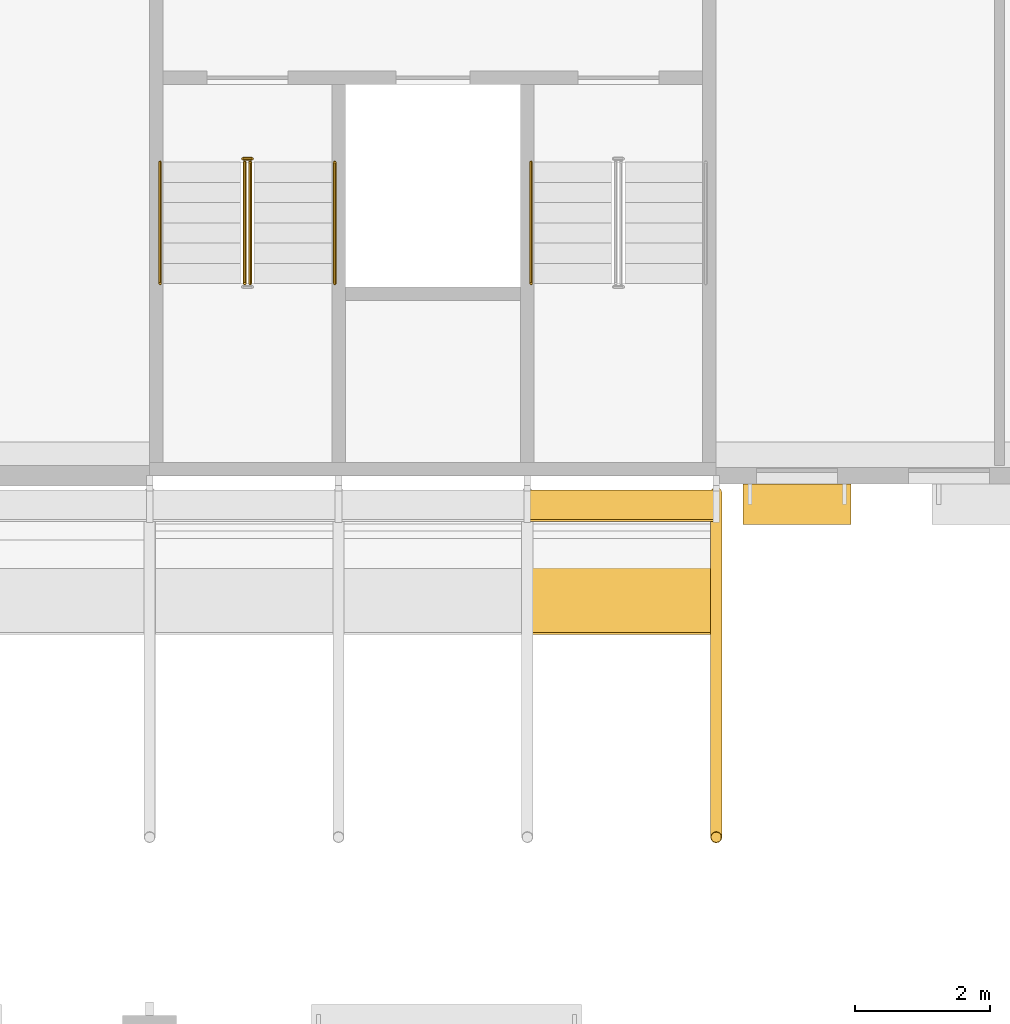
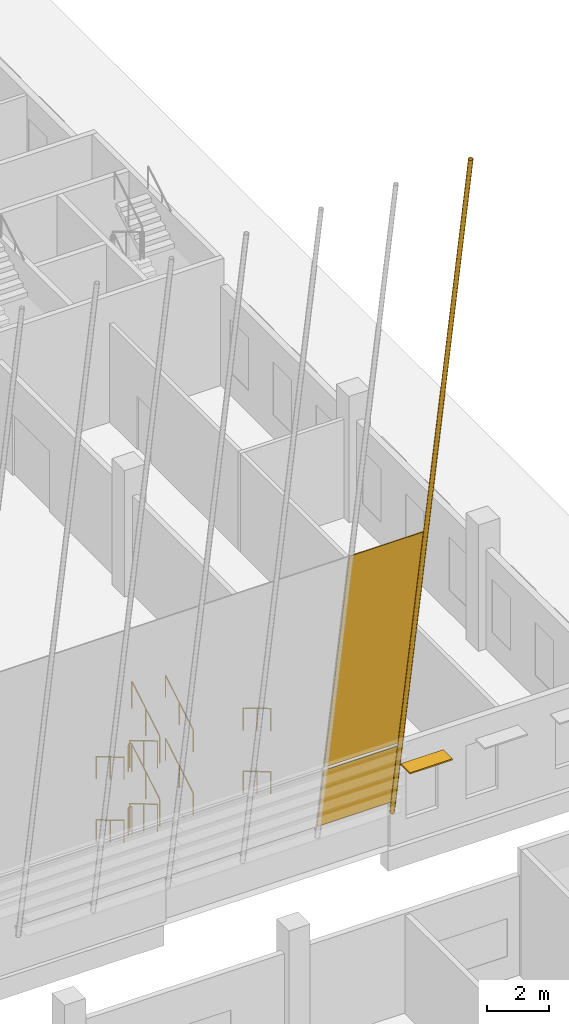
# One storey, part 97 of 101: 12 railings, 2 coverings, 2 shading devices.
"""IFC4 building model written with IfcOpenShell, lengths in metres."""

import ifcopenshell
import ifcopenshell.guid

model = None  # the IFC model being written
_history = None  # IfcOwnerHistory: only IFC2X3 demands one
_inside = {}  # id of a spatial element -> (the spatial element, [elements in it])
_under = {}  # id of a project, library or spatial element -> (it, [spatial elements below it])
_declared = {}  # id of a project -> (the project, [libraries it declares])
_typed = {}  # id of a type object -> (the type object, [elements of that type])
_made_of = {}  # id of a material, layer set ... -> (it, [elements and type objects made of it])


def new_model(schema):
    """Start an empty IFC model of exactly this schema.

    Asked for "IFC4X3", IfcOpenShell would pick the latest addendum, in which some entities
    have other attributes; the version numbers below select the first issue.
    IFC2X3 requires an IfcOwnerHistory on every rooted entity: one is made here for all.
    """
    global model, _history
    if schema == "IFC4X3":
        model = ifcopenshell.file(schema_version=(4, 3, 0, 0))
    else:
        model = ifcopenshell.file(schema=schema)
    _inside.clear()
    _under.clear()
    _declared.clear()
    _typed.clear()
    _made_of.clear()
    _history = None
    if model.schema == "IFC2X3":
        org = make("IfcOrganization", Name="unknown")
        user = make(
            "IfcPersonAndOrganization",
            ThePerson=make("IfcPerson", FamilyName="unknown"),
            TheOrganization=org,
        )
        app = make(
            "IfcApplication",
            ApplicationDeveloper=org,
            Version="unknown",
            ApplicationFullName="unknown",
            ApplicationIdentifier="unknown",
        )
        _history = make(
            "IfcOwnerHistory",
            OwningUser=user,
            OwningApplication=app,
            ChangeAction="ADDED",
            CreationDate=0,
        )
    return model


def make(cls, **values):
    """One entity of the class cls with the attributes given. An attribute that is None is left unset."""
    return model.create_entity(
        cls, **{name: value for name, value in values.items() if value is not None}
    )


def rooted(cls, **values):
    """An entity with a GlobalId (a new one), such as an element, a storey or a relation."""
    return make(cls, GlobalId=ifcopenshell.guid.new(), OwnerHistory=_history, **values)


def si_unit(unit_type, name, prefix=None):
    """IfcSIUnit, for example si_unit("LENGTHUNIT", "METRE", prefix="MILLI")."""
    return make("IfcSIUnit", UnitType=unit_type, Prefix=prefix, Name=name)


def assignment(units):
    """IfcUnitAssignment: the units of a project."""
    return None if units is None else make("IfcUnitAssignment", Units=units)


def point(xyz):
    """IfcCartesianPoint."""
    return None if xyz is None else make("IfcCartesianPoint", Coordinates=xyz)


def direction(xyz):
    """IfcDirection."""
    return None if xyz is None else make("IfcDirection", DirectionRatios=xyz)


def frame(location, z_axis=None, x_axis=None):
    """IfcAxis2Placement3D, a coordinate frame: its origin and axes. An axis left out is left unset."""
    return make(
        "IfcAxis2Placement3D",
        Location=point(location),
        Axis=direction(z_axis),
        RefDirection=direction(x_axis),
    )


def frame_2d(location, x_axis=None):
    """IfcAxis2Placement2D, a coordinate frame in the plane: its origin and x axis."""
    return make(
        "IfcAxis2Placement2D", Location=point(location), RefDirection=direction(x_axis)
    )


def origin():
    """The frame at (0, 0, 0) with its axes left unset."""
    return frame((0.0, 0.0, 0.0))


def origin_2d():
    """The frame at (0, 0) in the plane with its x axis left unset."""
    return frame_2d((0.0, 0.0))


def place(relative_to, where):
    """IfcLocalPlacement: puts the frame where relative to a parent placement (None: the world)."""
    return make(
        "IfcLocalPlacement", PlacementRelTo=relative_to, RelativePlacement=where
    )


def context(
    kind, dimensions, precision=None, world=None, true_north=None, identifier=None
):
    """IfcGeometricRepresentationContext, for example the 3D "Model" context."""
    return make(
        "IfcGeometricRepresentationContext",
        ContextIdentifier=identifier,
        ContextType=kind,
        CoordinateSpaceDimension=dimensions,
        Precision=precision,
        WorldCoordinateSystem=world,
        TrueNorth=true_north,
    )


def subcontext(parent, identifier, kind, view, scale=None):
    """IfcGeometricRepresentationSubContext, for example "Body" below "Model"."""
    return make(
        "IfcGeometricRepresentationSubContext",
        ContextIdentifier=identifier,
        ContextType=kind,
        ParentContext=parent,
        TargetScale=scale,
        TargetView=view,
    )


def project(units=None, contexts=None):
    """IfcProject with its units and contexts."""
    return rooted(
        "IfcProject",
        Name="project",
        RepresentationContexts=contexts,
        UnitsInContext=assignment(units),
    )


def spatial(cls, under=None, at=None, **own):
    """A site, building, storey or space (cls), placed at a placement, below another one or the project."""
    s = rooted(cls, ObjectPlacement=at, **own)
    if under is not None:
        _under.setdefault(under.id(), (under, []))[1].append(s)
    return s


def polyline(points):
    """IfcPolyline through the points."""
    return make("IfcPolyline", Points=[point(p) for p in points])


def profile(cls, at=None, kind="AREA", **sizes):
    """A parametric profile (cls). Its sizes go by their IFC names, for example OverallWidth=200.0."""
    return make(cls, ProfileType=kind, Position=at, **sizes)


def rectangle(**sizes):
    """IfcRectangleProfileDef."""
    return profile("IfcRectangleProfileDef", **sizes)


def circle(**sizes):
    """IfcCircleProfileDef."""
    return profile("IfcCircleProfileDef", **sizes)


def hollow_circle(**sizes):
    """IfcCircleHollowProfileDef."""
    return profile("IfcCircleHollowProfileDef", **sizes)


def outline(outer, holes=None, kind="AREA"):
    """IfcArbitraryClosedProfileDef: a profile drawn as a closed curve; with holes, ...WithVoids."""
    if holes is None:
        return make("IfcArbitraryClosedProfileDef", ProfileType=kind, OuterCurve=outer)
    return make(
        "IfcArbitraryProfileDefWithVoids",
        ProfileType=kind,
        OuterCurve=outer,
        InnerCurves=holes,
    )


def extrude(swept, where, along, depth):
    """IfcExtrudedAreaSolid: the profile swept, set in the frame where, extruded along a direction by depth."""
    return make(
        "IfcExtrudedAreaSolid",
        SweptArea=swept,
        Position=where,
        ExtrudedDirection=direction(along),
        Depth=depth,
    )


def shape(context_of_items, identifier, shape_type, items):
    """IfcShapeRepresentation: the items that make up one representation, for example the "Body"."""
    return make(
        "IfcShapeRepresentation",
        ContextOfItems=context_of_items,
        RepresentationIdentifier=identifier,
        RepresentationType=shape_type,
        Items=items,
    )


def material(Name=None, Category=None):
    """IfcMaterial."""
    return make("IfcMaterial", Name=Name, Category=Category)


def layer(
    of_material, thickness, ventilated=None, Name=None, Category=None, Priority=None
):
    """IfcMaterialLayer: one layer of a wall or slab, of a material (None: an air gap)."""
    return make(
        "IfcMaterialLayer",
        Material=of_material,
        LayerThickness=thickness,
        IsVentilated=ventilated,
        Name=Name,
        Category=Category,
        Priority=Priority,
    )


def layer_set(layers, Name=None):
    """IfcMaterialLayerSet."""
    return make("IfcMaterialLayerSet", MaterialLayers=layers, LayerSetName=Name)


def material_profile(
    of_material, cross_section, Name=None, Category=None, Priority=None
):
    """IfcMaterialProfile: a cross section and its material."""
    return make(
        "IfcMaterialProfile",
        Name=Name,
        Material=of_material,
        Profile=cross_section,
        Priority=Priority,
        Category=Category,
    )


def profile_set(profiles, Name=None, composite=None):
    """IfcMaterialProfileSet."""
    return make(
        "IfcMaterialProfileSet",
        Name=Name,
        MaterialProfiles=profiles,
        CompositeProfile=composite,
    )


def made_of(thing, what):
    """Note that an element or type object is made of a material, layer set ...; save() writes the relation."""
    if what is not None:
        _made_of.setdefault(what.id(), (what, []))[1].append(thing)
    return thing


def type_object(cls, material=None, **own):
    """A type object (cls), such as IfcWallType, which elements share."""
    return made_of(rooted(cls, **own), material)


def element(
    cls,
    number,
    at=None,
    inside=None,
    cuts=None,
    type_object=None,
    material=None,
    context=None,
    identifier="Body",
    shape_type=None,
    held_by="IfcProductDefinitionShape",
    body=None,
    shapes=None,
    **own,
):
    """One element of the class cls, such as IfcWall. Its Tag is "e" and its number.

    at: its placement. inside: the storey or other place that contains it. cuts: it is an
    opening in that element (IfcRelVoidsElement). A single representation is given by context,
    identifier, shape_type and body (its items); several are given by shapes. held_by: the class
    of the entity that holds the representations. save() writes the other relations.
    """
    e = rooted(cls, Tag="e%d" % number, ObjectPlacement=at, **own)
    if body is not None:
        shapes = [shape(context, identifier, shape_type, body)]
    if shapes is not None:
        e.Representation = make(held_by, Representations=shapes)
    if inside is not None:
        _inside.setdefault(inside.id(), (inside, []))[1].append(e)
    if cuts is not None:
        rooted(
            "IfcRelVoidsElement", RelatingBuildingElement=cuts, RelatedOpeningElement=e
        )
    if type_object is not None:
        _typed.setdefault(type_object.id(), (type_object, []))[1].append(e)
    return made_of(e, material)


def aggregate(whole, parts):
    """IfcRelAggregates: a whole, such as a stair, and the parts it consists of."""
    return rooted("IfcRelAggregates", RelatingObject=whole, RelatedObjects=parts)


def save(model, path):
    """Write the relations noted so far, then the file.

    IfcRelAggregates (storeys below a building ...), IfcRelContainedInSpatialStructure (elements
    in a storey), IfcRelDefinesByType, IfcRelAssociatesMaterial and IfcRelDeclares: one each for
    every whole, place, type object, material and project.
    """
    for whole, parts in _under.values():
        aggregate(whole, parts)
    for where, things in _inside.values():
        rooted(
            "IfcRelContainedInSpatialStructure",
            RelatedElements=things,
            RelatingStructure=where,
        )
    for kind, things in _typed.values():
        rooted("IfcRelDefinesByType", RelatedObjects=things, RelatingType=kind)
    for what, things in _made_of.values():
        rooted("IfcRelAssociatesMaterial", RelatedObjects=things, RelatingMaterial=what)
    for by, libraries in _declared.values():
        rooted("IfcRelDeclares", RelatingContext=by, RelatedDefinitions=libraries)
    model.write(path)


model = new_model("IFC4")

# Units and contexts
model_context = context("Model", 3, precision=1e-05, world=origin(), true_north=direction((0.0, 1.0)))
body_context = subcontext(model_context, "Body", "Model", "MODEL_VIEW")
ifc_project = project(units=[si_unit("LENGTHUNIT", "METRE"), si_unit("AREAUNIT", "SQUARE_METRE"), si_unit("VOLUMEUNIT", "CUBIC_METRE"), si_unit("PLANEANGLEUNIT", "RADIAN"), si_unit("MASSUNIT", "GRAM", prefix="KILO")], contexts=[model_context])

# Site, building, storey
site_placement = place(None, origin())
site = spatial("IfcSite", under=ifc_project, at=site_placement, CompositionType="ELEMENT")
building_placement = place(site_placement, origin())
building = spatial("IfcBuilding", under=site, at=building_placement, Name="Almond Square Museum", CompositionType="ELEMENT")
storey_placement = place(building_placement, frame((0.0, 0.0, 5.5)))
storey = spatial("IfcBuildingStorey", under=building, at=storey_placement, Name="L01", CompositionType="ELEMENT", Elevation=5.5)

# Shading device
ifc_material_1 = material(Name="Structural steel S355", Category="steel")
ifc_material_profile_1 = material_profile(ifc_material_1, hollow_circle(Radius=0.084228515625, WallThickness=0.008056640625, at=origin_2d()))
ifc_profile_set_1 = profile_set([ifc_material_profile_1], Name="Structural steel S355")
shading_device_type_1 = type_object("IfcShadingDeviceType", Name="Louvre post CHS 168.3 x 8", PredefinedType="USERDEFINED", material=ifc_profile_set_1)
shading_device_1_placement = place(storey_placement, frame((148.800048828125, 50.14453125, 1.44873046875), z_axis=(0.0, -0.173651732188, 0.984807126248), x_axis=(1.0, 0.0, 0.0)))
element("IfcShadingDevice", 1, at=shading_device_1_placement, inside=storey, type_object=shading_device_type_1, Name="Louvre post S16", ObjectType="POST", PredefinedType="USERDEFINED", context=body_context, shape_type="SweptSolid", body=[
    extrude(hollow_circle(Radius=0.084228515625, WallThickness=0.008056640625, at=origin_2d()), origin(), (0.0, 0.0, 1.0), 29.397705078125),
])

# Coverings
ifc_material_2 = material(Name="Cedar timber sheathing panel", Category="wood")
ifc_layer = layer(ifc_material_2, 0.030029296875)
ifc_layer_set = layer_set([ifc_layer], Name="Cedar timber sheathing panel")
covering_type = type_object("IfcCoveringType", Name="Louvre rain-screen backing panel 30", PredefinedType="CLADDING", material=ifc_layer_set)
covering_1_placement = place(storey_placement, frame((146.0, 50.172607421875, 1.8486328125), z_axis=(0.0, -0.984810858511, -0.173630564586), x_axis=(1.0, 0.0, 0.0)))
element("IfcCovering", 2, at=covering_1_placement, inside=storey, type_object=covering_type, Name="Louvre rain-screen backing panel S15.03", PredefinedType="CLADDING", context=body_context, shape_type="SweptSolid", body=[
    extrude(outline(polyline([(0.0, 0.0), (2.800048828125, 0.0), (2.800048828125, 2.519717660558068), (0.0, 2.519717660558068), (0.0, 0.0)])), frame((0.0, 0.0, -0.01513671875)), (0.0, 0.0, 1.0), 0.030029296875),
])
covering_2_placement = place(storey_placement, frame((146.0, 49.71044921875, 4.469970703125), z_axis=(0.0, -0.98480863204, -0.173643192378), x_axis=(1.0, 0.0, 0.0)))
element("IfcCovering", 3, at=covering_2_placement, inside=storey, type_object=covering_type, Name="Louvre rain-screen backing panel S15.04", PredefinedType="CLADDING", context=body_context, shape_type="SweptSolid", body=[
    extrude(outline(polyline([(0.0, 0.0), (2.800048828125, 0.0), (2.800048828125, 9.504493682681225), (0.0, 9.504493682681225), (0.0, 0.0)])), frame((0.0, 0.0, -0.01513671875)), (0.0, 0.0, 1.0), 0.030029296875),
])

# Railings
ifc_material_3 = material(Name="Stainless steel and laminated glass", Category="steel")
railing_type_1 = type_object("IfcRailingType", Name="Stair guard 1100 steel and glass", PredefinedType="GUARDRAIL", material=ifc_material_3)
railing_1_placement = place(storey_placement, frame((141.81005859375, 55.050048828125, 0.178466796875)))
element("IfcRailing", 4, at=railing_1_placement, inside=storey, type_object=railing_type_1, Name="L01 ST-03 stair guard 1", PredefinedType="GUARDRAIL", context=body_context, shape_type="SweptSolid", body=[
    extrude(circle(Radius=0.02392578125, at=origin_2d()), frame((0.0, 0.0, 1.076171875), z_axis=(0.0, -0.859277029364, 0.511510495305), x_axis=(1.0, 0.0, 0.0)), (0.0, 0.0, 1.0), 2.0947265625),
    extrude(circle(Radius=0.02099609375, at=origin_2d()), origin(), (0.0, 0.0, 1.0), 1.052001953125),
    extrude(circle(Radius=0.02099609375, at=origin_2d()), frame((0.0, -0.89990234375, 0.53564453125)), (0.0, 0.0, 1.0), 1.052001953125),
    extrude(circle(Radius=0.02099609375, at=origin_2d()), frame((0.0, -1.800048828125, 1.071533203125)), (0.0, 0.0, 1.0), 1.052001953125),
])
railing_2_placement = place(storey_placement, frame((141.889892578125, 53.25, 1.428466796875)))
element("IfcRailing", 5, at=railing_2_placement, inside=storey, type_object=railing_type_1, Name="L01 ST-03 stair guard 3", PredefinedType="GUARDRAIL", context=body_context, shape_type="SweptSolid", body=[
    extrude(circle(Radius=0.02392578125, at=origin_2d()), frame((0.0, 0.0, 1.076171875), z_axis=(0.0, 0.859277029364, 0.511510495305), x_axis=(-1.0, 0.0, 0.0)), (0.0, 0.0, 1.0), 2.0947265625),
    extrude(circle(Radius=0.02099609375, at=origin_2d()), origin(), (0.0, 0.0, 1.0), 1.052001953125),
    extrude(circle(Radius=0.02099609375, at=origin_2d()), frame((0.0, 0.89990234375, 0.53564453125)), (0.0, 0.0, 1.0), 1.052001953125),
    extrude(circle(Radius=0.02099609375, at=origin_2d()), frame((0.0, 1.800048828125, 1.071533203125)), (0.0, 0.0, 1.0), 1.052001953125),
])
railing_3_placement = place(storey_placement, frame((141.780029296875, 55.10009765625, 2.5)))
element("IfcRailing", 6, at=railing_3_placement, inside=storey, type_object=railing_type_1, Name="L01 ST-03 stair guard 4", PredefinedType="GUARDRAIL", context=body_context, shape_type="SweptSolid", body=[
    extrude(circle(Radius=0.02392578125, at=origin_2d()), frame((0.0, 0.0, 1.076171875), z_axis=(1.0, 0.0, 0.0), x_axis=(0.0, 1.0, 0.0)), (0.0, 0.0, 1.0), 0.139892578125),
    extrude(circle(Radius=0.02099609375, at=origin_2d()), origin(), (0.0, 0.0, 1.0), 1.052001953125),
    extrude(circle(Radius=0.02099609375, at=origin_2d()), frame((0.139892578125, 0.0, 0.0)), (0.0, 0.0, 1.0), 1.052001953125),
])
railing_4_placement = place(storey_placement, frame((141.81005859375, 55.050048828125, 2.678466796875)))
element("IfcRailing", 7, at=railing_4_placement, inside=storey, type_object=railing_type_1, Name="L01 ST-03 stair guard 5", PredefinedType="GUARDRAIL", context=body_context, shape_type="SweptSolid", body=[
    extrude(circle(Radius=0.02392578125, at=origin_2d()), frame((0.0, 0.0, 1.076171875), z_axis=(0.0, -0.859277029364, 0.511510495305), x_axis=(1.0, 0.0, 0.0)), (0.0, 0.0, 1.0), 2.0947265625),
    extrude(circle(Radius=0.02099609375, at=origin_2d()), origin(), (0.0, 0.0, 1.0), 1.052001953125),
    extrude(circle(Radius=0.02099609375, at=origin_2d()), frame((0.0, -0.89990234375, 0.53564453125)), (0.0, 0.0, 1.0), 1.052001953125),
    extrude(circle(Radius=0.02099609375, at=origin_2d()), frame((0.0, -1.800048828125, 1.071533203125)), (0.0, 0.0, 1.0), 1.052001953125),
])
railing_5_placement = place(storey_placement, frame((141.889892578125, 53.25, 3.928466796875)))
element("IfcRailing", 8, at=railing_5_placement, inside=storey, type_object=railing_type_1, Name="L01 ST-03 stair guard 7", PredefinedType="GUARDRAIL", context=body_context, shape_type="SweptSolid", body=[
    extrude(circle(Radius=0.02392578125, at=origin_2d()), frame((0.0, 0.0, 1.076171875), z_axis=(0.0, 0.859277029364, 0.511510495305), x_axis=(-1.0, 0.0, 0.0)), (0.0, 0.0, 1.0), 2.0947265625),
    extrude(circle(Radius=0.02099609375, at=origin_2d()), origin(), (0.0, 0.0, 1.0), 1.052001953125),
    extrude(circle(Radius=0.02099609375, at=origin_2d()), frame((0.0, 0.89990234375, 0.53564453125)), (0.0, 0.0, 1.0), 1.052001953125),
    extrude(circle(Radius=0.02099609375, at=origin_2d()), frame((0.0, 1.800048828125, 1.071533203125)), (0.0, 0.0, 1.0), 1.052001953125),
])
railing_6_placement = place(storey_placement, frame((141.780029296875, 55.10009765625, 0.0)))
element("IfcRailing", 9, at=railing_6_placement, inside=storey, type_object=railing_type_1, Name="L01 ST-03 stair guard 8", PredefinedType="GUARDRAIL", context=body_context, shape_type="SweptSolid", body=[
    extrude(circle(Radius=0.02392578125, at=origin_2d()), frame((0.0, 0.0, 1.076171875), z_axis=(1.0, 0.0, 0.0), x_axis=(0.0, 1.0, 0.0)), (0.0, 0.0, 1.0), 0.139892578125),
    extrude(circle(Radius=0.02099609375, at=origin_2d()), origin(), (0.0, 0.0, 1.0), 1.052001953125),
    extrude(circle(Radius=0.02099609375, at=origin_2d()), frame((0.139892578125, 0.0, 0.0)), (0.0, 0.0, 1.0), 1.052001953125),
])
ifc_material_4 = material(Name="Stainless steel", Category="steel")
railing_type_2 = type_object("IfcRailingType", Name="Stair handrail 900 steel", PredefinedType="HANDRAIL", material=ifc_material_4)
railing_7_placement = place(storey_placement, frame((140.554931640625, 55.050048828125, 0.178466796875)))
element("IfcRailing", 10, at=railing_7_placement, inside=storey, type_object=railing_type_2, Name="L01 ST-03 stair handrail 1", PredefinedType="HANDRAIL", context=body_context, shape_type="SweptSolid", body=[
    extrude(circle(Radius=0.02392578125, at=origin_2d()), frame((0.0, 0.0, 0.8759765625), z_axis=(0.0, -0.859277029364, 0.511510495305), x_axis=(1.0, 0.0, 0.0)), (0.0, 0.0, 1.0), 2.0947265625),
    extrude(circle(Radius=0.02099609375, at=origin_2d()), origin(), (0.0, 0.0, 1.0), 0.851806640625),
    extrude(circle(Radius=0.02099609375, at=origin_2d()), frame((0.0, -0.89990234375, 0.53564453125)), (0.0, 0.0, 1.0), 0.851806640625),
    extrude(circle(Radius=0.02099609375, at=origin_2d()), frame((0.0, -1.800048828125, 1.071533203125)), (0.0, 0.0, 1.0), 0.851806640625),
])
railing_8_placement = place(storey_placement, frame((143.14501953125, 53.25, 1.428466796875)))
element("IfcRailing", 11, at=railing_8_placement, inside=storey, type_object=railing_type_2, Name="L01 ST-03 stair handrail 2", PredefinedType="HANDRAIL", context=body_context, shape_type="SweptSolid", body=[
    extrude(circle(Radius=0.02392578125, at=origin_2d()), frame((0.0, 0.0, 0.8759765625), z_axis=(0.0, 0.859277029364, 0.511510495305), x_axis=(-1.0, 0.0, 0.0)), (0.0, 0.0, 1.0), 2.0947265625),
    extrude(circle(Radius=0.02099609375, at=origin_2d()), origin(), (0.0, 0.0, 1.0), 0.851806640625),
    extrude(circle(Radius=0.02099609375, at=origin_2d()), frame((0.0, 0.89990234375, 0.53564453125)), (0.0, 0.0, 1.0), 0.851806640625),
    extrude(circle(Radius=0.02099609375, at=origin_2d()), frame((0.0, 1.800048828125, 1.071533203125)), (0.0, 0.0, 1.0), 0.851806640625),
])
railing_9_placement = place(storey_placement, frame((140.554931640625, 55.050048828125, 2.678466796875)))
element("IfcRailing", 12, at=railing_9_placement, inside=storey, type_object=railing_type_2, Name="L01 ST-03 stair handrail 3", PredefinedType="HANDRAIL", context=body_context, shape_type="SweptSolid", body=[
    extrude(circle(Radius=0.02392578125, at=origin_2d()), frame((0.0, 0.0, 0.8759765625), z_axis=(0.0, -0.859277029364, 0.511510495305), x_axis=(1.0, 0.0, 0.0)), (0.0, 0.0, 1.0), 2.0947265625),
    extrude(circle(Radius=0.02099609375, at=origin_2d()), origin(), (0.0, 0.0, 1.0), 0.851806640625),
    extrude(circle(Radius=0.02099609375, at=origin_2d()), frame((0.0, -0.89990234375, 0.53564453125)), (0.0, 0.0, 1.0), 0.851806640625),
    extrude(circle(Radius=0.02099609375, at=origin_2d()), frame((0.0, -1.800048828125, 1.071533203125)), (0.0, 0.0, 1.0), 0.851806640625),
])
railing_10_placement = place(storey_placement, frame((143.14501953125, 53.25, 3.928466796875)))
element("IfcRailing", 13, at=railing_10_placement, inside=storey, type_object=railing_type_2, Name="L01 ST-03 stair handrail 4", PredefinedType="HANDRAIL", context=body_context, shape_type="SweptSolid", body=[
    extrude(circle(Radius=0.02392578125, at=origin_2d()), frame((0.0, 0.0, 0.8759765625), z_axis=(0.0, 0.859277029364, 0.511510495305), x_axis=(-1.0, 0.0, 0.0)), (0.0, 0.0, 1.0), 2.0947265625),
    extrude(circle(Radius=0.02099609375, at=origin_2d()), origin(), (0.0, 0.0, 1.0), 0.851806640625),
    extrude(circle(Radius=0.02099609375, at=origin_2d()), frame((0.0, 0.89990234375, 0.53564453125)), (0.0, 0.0, 1.0), 0.851806640625),
    extrude(circle(Radius=0.02099609375, at=origin_2d()), frame((0.0, 1.800048828125, 1.071533203125)), (0.0, 0.0, 1.0), 0.851806640625),
])
for number, where, name in (
    (14, (146.054931640625, 55.050048828125, 0.178466796875), "L01 ST-04 stair handrail 1"),
    (15, (146.054931640625, 55.050048828125, 2.678466796875), "L01 ST-04 stair handrail 3"),
):
    element("IfcRailing", number, at=place(storey_placement, frame(where)), inside=storey, type_object=railing_type_2, Name=name, PredefinedType="HANDRAIL", context=body_context, shape_type="SweptSolid", body=[
        extrude(circle(Radius=0.02392578125, at=origin_2d()), frame((0.0, 0.0, 0.8759765625), z_axis=(0.0, -0.859277029364, 0.511510495305), x_axis=(1.0, 0.0, 0.0)), (0.0, 0.0, 1.0), 2.0947265625),
        extrude(circle(Radius=0.02099609375, at=origin_2d()), origin(), (0.0, 0.0, 1.0), 0.851806640625),
        extrude(circle(Radius=0.02099609375, at=origin_2d()), frame((0.0, -0.89990234375, 0.53564453125)), (0.0, 0.0, 1.0), 0.851806640625),
        extrude(circle(Radius=0.02099609375, at=origin_2d()), frame((0.0, -1.800048828125, 1.071533203125)), (0.0, 0.0, 1.0), 0.851806640625),
    ])

# Shading device
ifc_material_5 = material(Name="Anodised aluminium", Category="aluminium")
ifc_material_profile_2 = material_profile(ifc_material_5, rectangle(XDim=0.60009765625, YDim=0.050048828125, at=origin_2d()))
ifc_profile_set_2 = profile_set([ifc_material_profile_2], Name="Anodised aluminium")
shading_device_type_2 = type_object("IfcShadingDeviceType", Name="Sun-shade blade 600 x 50", PredefinedType="USERDEFINED", material=ifc_profile_set_2)
shading_device_2_placement = place(storey_placement, frame((149.199951171875, 49.97705078125, 3.1201171875), z_axis=(1.0, 0.0, 0.0), x_axis=(0.0, 1.0, 0.0)))
element("IfcShadingDevice", 16, at=shading_device_2_placement, inside=storey, type_object=shading_device_type_2, Name="Sun-shade blade", ObjectType="LOUVRE", PredefinedType="USERDEFINED", context=body_context, shape_type="SweptSolid", body=[
    extrude(rectangle(XDim=0.60009765625, YDim=0.050048828125, at=origin_2d()), origin(), (0.0, 0.0, 1.0), 1.60009765625),
])

save(model, "model.ifc")
